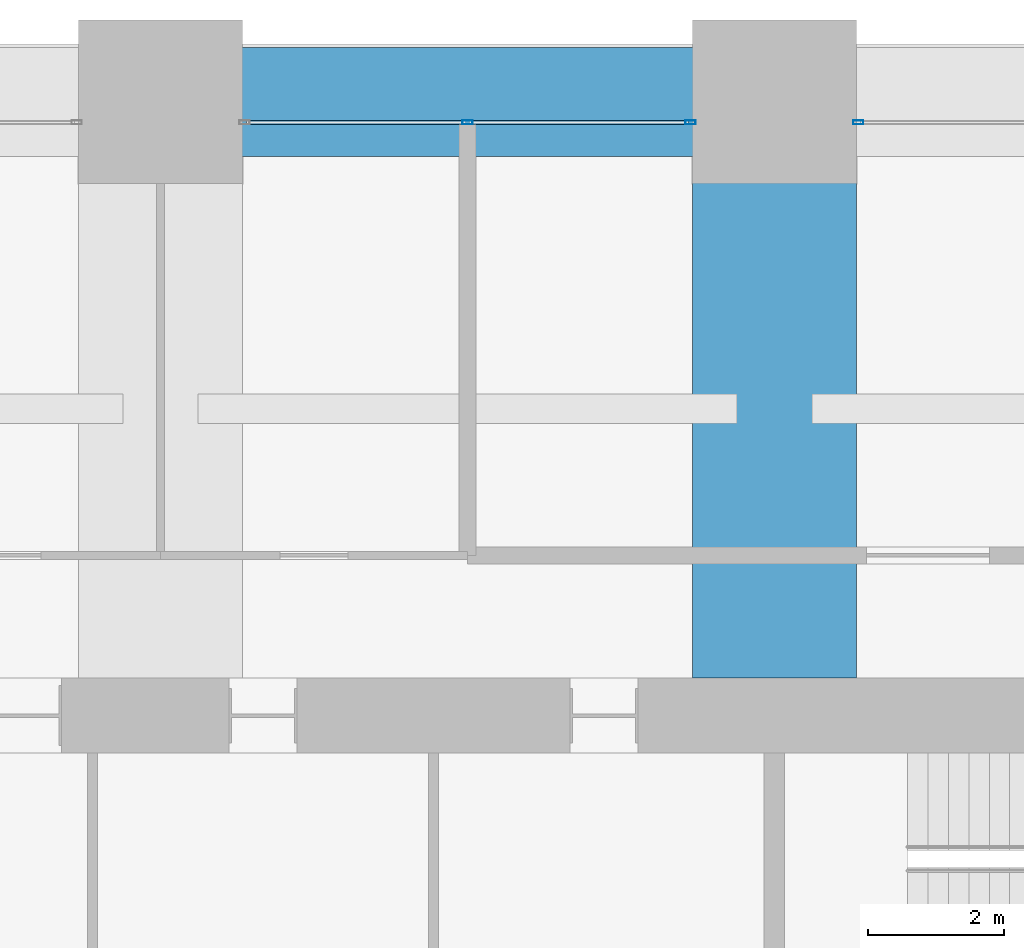
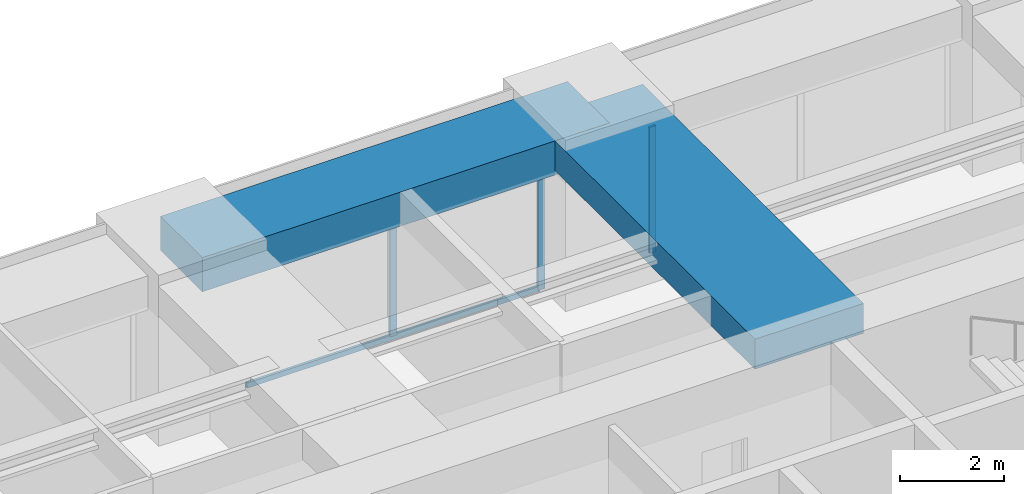
# One storey, part 30 of 42: 4 members, 2 beams, 2 elements without a shape of their own.
"""IFC4 building model written with IfcOpenShell, lengths in metres."""

from ifc_helpers import new_model, si_unit, direction, frame, origin, origin_2d, place, context, subcontext, project, spatial, rectangle, hollow_rectangle, extrude, material, material_profile, profile_set, type_object, element, aggregate, save


model = new_model("IFC4")

# Units and contexts
model_context = context("Model", 3, precision=1e-05, world=origin(), true_north=direction((0.0, 1.0)))
body_context = subcontext(model_context, "Body", "Model", "MODEL_VIEW")
ifc_project = project(units=[si_unit("LENGTHUNIT", "METRE"), si_unit("AREAUNIT", "SQUARE_METRE"), si_unit("VOLUMEUNIT", "CUBIC_METRE"), si_unit("PLANEANGLEUNIT", "RADIAN"), si_unit("MASSUNIT", "GRAM", prefix="KILO")], contexts=[model_context])

# Site, building, storey
site_placement = place(None, origin())
site = spatial("IfcSite", under=ifc_project, at=site_placement, CompositionType="ELEMENT")
building_placement = place(site_placement, origin())
building = spatial("IfcBuilding", under=site, at=building_placement, Name="Zorevar Civic Tower", CompositionType="ELEMENT")
storey_placement = place(building_placement, frame((0.0, 0.0, 149.0)))
storey = spatial("IfcBuildingStorey", under=building, at=storey_placement, Name="L36", CompositionType="ELEMENT", Elevation=149.0)

# Beam
ifc_material_1 = material(Name="Concrete C50/60", Category="concrete")
ifc_material_profile_1 = material_profile(ifc_material_1, rectangle(XDim=2.39990234375, YDim=0.699951171875, at=origin_2d()), Name="RC 2400x700")
ifc_profile_set_1 = profile_set([ifc_material_profile_1], Name="Concrete C50/60")
beam_type_1 = type_object("IfcBeamType", Name="Beam RC 2400x700", PredefinedType="BEAM", material=ifc_profile_set_1)
beam_1_placement = place(storey_placement, frame((36.0, 36.550048828125, 3.39990234375), z_axis=(0.0, 1.0, 0.0), x_axis=(-1.0, 0.0, 0.0)))
element("IfcBeam", 1, at=beam_1_placement, inside=storey, type_object=beam_type_1, Name="Girder L37", PredefinedType="BEAM", context=body_context, shape_type="SweptSolid", body=[
    extrude(rectangle(XDim=2.39990234375, YDim=0.699951171875, at=origin_2d()), origin(), (0.0, 0.0, 1.0), 8.449951171875),
])

# Curtain wall, members
ifc_material_2 = material(Name="Dark grey solar-control glass in black aluminium frame", Category="aluminium")
curtain_wall_type = type_object("IfcCurtainWallType", Name="Curtain wall CW3 mid zone", PredefinedType="NOTDEFINED", material=ifc_material_2)
curtain_wall_1_placement = place(storey_placement, origin())
curtain_wall_1 = element("IfcCurtainWall", 2, at=curtain_wall_1_placement, inside=storey, type_object=curtain_wall_type, Name="CW3 L36", PredefinedType="NOTDEFINED")
ifc_material_3 = material(Name="Aluminium, black anodised", Category="aluminium")
ifc_material_profile_2 = material_profile(ifc_material_3, hollow_rectangle(XDim=0.06005859375, YDim=0.14990234375, WallThickness=0.00390625, at=origin_2d()), Name="AL 150x60x4")
ifc_profile_set_2 = profile_set([ifc_material_profile_2], Name="Aluminium, black anodised")
member_type_1 = type_object("IfcMemberType", Name="CW3 mullion AL 150x60x4", PredefinedType="MULLION", material=ifc_profile_set_2)
member_1_placement = place(storey_placement, frame((31.5, 44.699951171875, 0.06005859375), z_axis=(0.0, 0.0, 1.0), x_axis=(0.0, 1.0, 0.0)))
member_1 = element("IfcMember", 3, at=member_1_placement, type_object=member_type_1, Name="CW3 mullion 2", PredefinedType="MULLION", context=body_context, shape_type="SweptSolid", body=[
    extrude(hollow_rectangle(XDim=0.06005859375, YDim=0.14990234375, WallThickness=0.00390625, at=origin_2d()), origin(), (0.0, 0.0, 1.0), 2.889892578125),
])
member_2_placement = place(storey_placement, frame((34.77001953125, 44.699951171875, 0.0), z_axis=(0.0, 0.0, 1.0), x_axis=(0.0, 1.0, 0.0)))
member_2 = element("IfcMember", 4, at=member_2_placement, type_object=member_type_1, Name="CW3 mullion 3", PredefinedType="MULLION", context=body_context, shape_type="SweptSolid", body=[
    extrude(hollow_rectangle(XDim=0.06005859375, YDim=0.14990234375, WallThickness=0.00390625, at=origin_2d()), origin(), (0.0, 0.0, 1.0), 2.949951171875),
])

# Curtain wall, member
curtain_wall_2_placement = place(storey_placement, origin())
curtain_wall_2 = element("IfcCurtainWall", 5, at=curtain_wall_2_placement, inside=storey, type_object=curtain_wall_type, Name="CW3 L36", PredefinedType="NOTDEFINED")
member_3_placement = place(storey_placement, frame((37.22998046875, 44.699951171875, 0.0), z_axis=(0.0, 0.0, 1.0), x_axis=(0.0, 1.0, 0.0)))
member_3 = element("IfcMember", 6, at=member_3_placement, type_object=member_type_1, Name="CW3 mullion 1", PredefinedType="MULLION", context=body_context, shape_type="SweptSolid", body=[
    extrude(hollow_rectangle(XDim=0.06005859375, YDim=0.14990234375, WallThickness=0.00390625, at=origin_2d()), origin(), (0.0, 0.0, 1.0), 2.949951171875),
])
aggregate(curtain_wall_2, [member_3])

# Member
ifc_material_4 = material(Name="Aluminium, black anodised", Category="aluminium")
ifc_material_profile_3 = material_profile(ifc_material_4, hollow_rectangle(XDim=0.06005859375, YDim=0.1201171875, WallThickness=0.0029296875, at=origin_2d()), Name="AL 120x60x3")
ifc_profile_set_3 = profile_set([ifc_material_profile_3], Name="Aluminium, black anodised")
member_type_2 = type_object("IfcMemberType", Name="CW3 transom AL 120x60x3", PredefinedType="USERDEFINED", material=ifc_profile_set_3)
member_4_placement = place(storey_placement, frame((28.260009765625, 44.699951171875, 0.030029296875), z_axis=(1.0, 0.0, 0.0), x_axis=(0.0, 1.0, 0.0)))
member_4 = element("IfcMember", 7, at=member_4_placement, type_object=member_type_2, Name="CW3 sill transom", ObjectType="TRANSOM", PredefinedType="USERDEFINED", context=body_context, shape_type="SweptSolid", body=[
    extrude(hollow_rectangle(XDim=0.06005859375, YDim=0.1201171875, WallThickness=0.0029296875, at=origin_2d()), origin(), (0.0, 0.0, 1.0), 6.47998046875),
])

aggregate(curtain_wall_1, [member_1, member_2, member_4])

# Beam
ifc_material_5 = material(Name="Concrete C50/60", Category="concrete")
ifc_material_profile_4 = material_profile(ifc_material_5, rectangle(XDim=1.60009765625, YDim=0.800048828125, at=origin_2d()), Name="RC 1600x800")
ifc_profile_set_4 = profile_set([ifc_material_profile_4], Name="Concrete C50/60")
beam_type_2 = type_object("IfcBeamType", Name="Edge beam RC 1600x800", PredefinedType="SPANDREL", material=ifc_profile_set_4)
beam_2_placement = place(storey_placement, frame((27.0, 45.0, 3.35009765625), z_axis=(1.0, 0.0, 0.0), x_axis=(0.0, 1.0, 0.0)))
element("IfcBeam", 8, at=beam_2_placement, inside=storey, type_object=beam_type_2, Name="Edge beam L37", PredefinedType="SPANDREL", context=body_context, shape_type="SweptSolid", body=[
    extrude(rectangle(XDim=1.60009765625, YDim=0.800048828125, at=origin_2d()), origin(), (0.0, 0.0, 1.0), 9.0),
])

save(model, "model.ifc")
